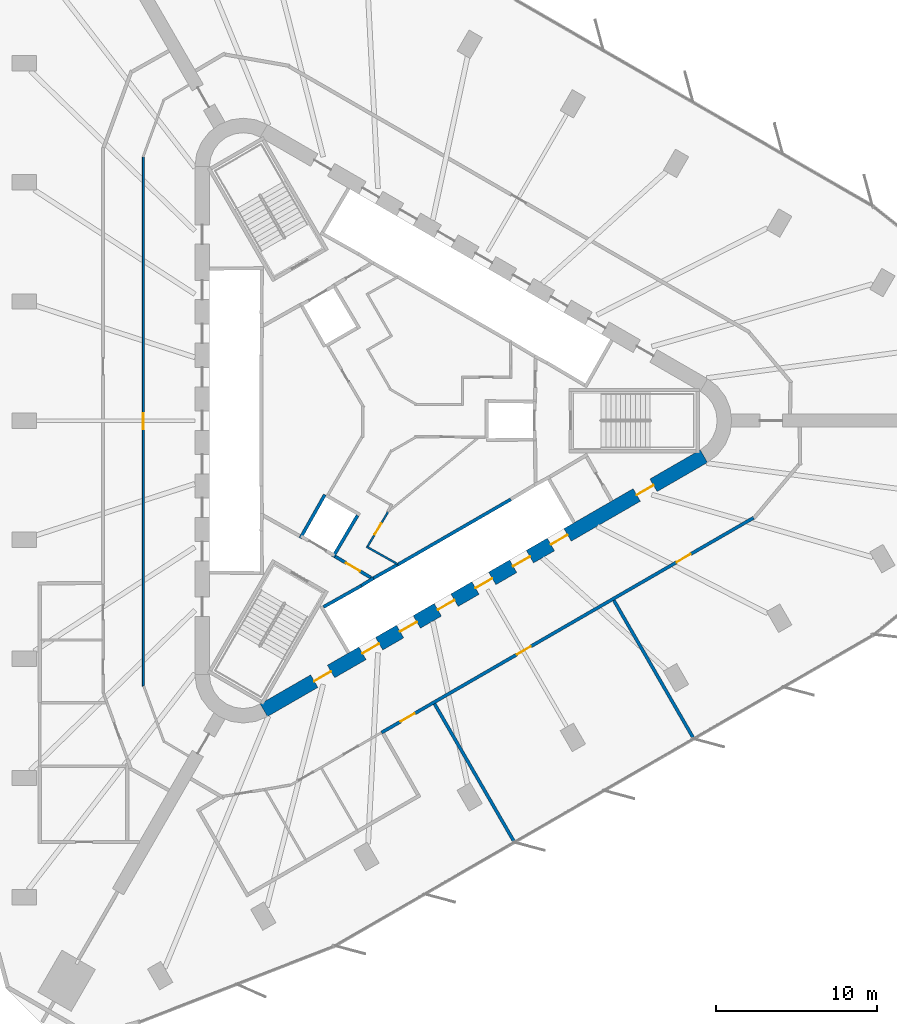
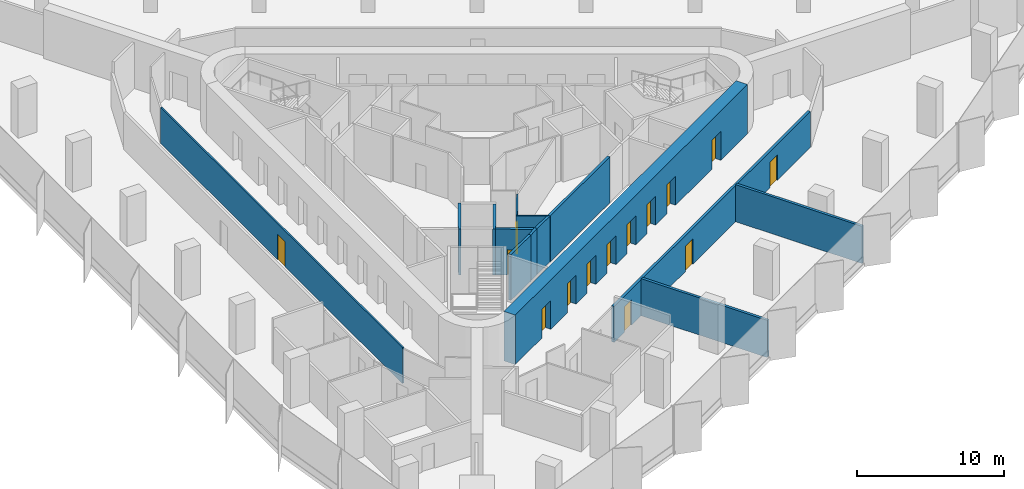
# One storey, part 10 of 15: 14 doors, 14 walls, 14 openings.
"""IFC4 building model written with IfcOpenShell, lengths in metres."""

from ifc_helpers import new_model, si_unit, direction, frame, frame_2d, origin, place, context, subcontext, project, spatial, rectangle, extrude, material, layer, layer_set, type_object, element, fill, save


model = new_model("IFC4")

# Units and contexts
model_context = context("Model", 3, precision=1e-05, world=origin(), true_north=direction((0.0, 1.0)))
body_context = subcontext(model_context, "Body", "Model", "MODEL_VIEW")
ifc_project = project(units=[si_unit("LENGTHUNIT", "METRE"), si_unit("AREAUNIT", "SQUARE_METRE"), si_unit("VOLUMEUNIT", "CUBIC_METRE"), si_unit("PLANEANGLEUNIT", "RADIAN"), si_unit("MASSUNIT", "GRAM", prefix="KILO")], contexts=[model_context])

# Site, building, storey
site_placement = place(None, origin())
site = spatial("IfcSite", under=ifc_project, at=site_placement, CompositionType="ELEMENT")
building_placement = place(site_placement, origin())
building = spatial("IfcBuilding", under=site, at=building_placement, Name="Tanit Gate Tower", CompositionType="ELEMENT")
storey_placement = place(building_placement, frame((0.0, 0.0, 131.60009765625)))
storey = spatial("IfcBuildingStorey", under=building, at=storey_placement, Name="L28", CompositionType="ELEMENT", Elevation=131.60009765625)

# Wall, openings, doors
ifc_material_1 = material(Name="Concrete C60/75", Category="concrete")
ifc_layer_1 = layer(ifc_material_1, 0.89990234375)
ifc_layer_set_1 = layer_set([ifc_layer_1], Name="CORE WALL 900 C60/75")
wall_type_1 = type_object("IfcWallType", Name="CORE WALL 900 C60/75", PredefinedType="SHEAR", material=ifc_layer_set_1)
wall_1_placement = place(storey_placement, frame((-7.824951171875, -17.969970703125, 0.0), z_axis=(0.0, 0.0, 1.0), x_axis=(0.866028369851, 0.499994862586, 0.0)))
wall_1 = element("IfcWall", 1, at=wall_1_placement, inside=storey, type_object=wall_type_1, Name="CORE WALL", PredefinedType="SHEAR", context=body_context, shape_type="SweptSolid", body=[
    extrude(rectangle(XDim=31.523193359375, YDim=0.89990234375, at=frame_2d((15.76171875, 0.0))), origin(), (0.0, 0.0, 1.0), 4.099853515625),
])
opening_1_placement = place(wall_1_placement, frame((7.061767578125, 0.0, 0.0)))
opening_1 = element("IfcOpeningElement", 2, at=opening_1_placement, cuts=wall_1, Name="Opening LDSX1-S07", PredefinedType="OPENING", context=body_context, shape_type="SweptSolid", body=[
    extrude(rectangle(XDim=1.199951171875, YDim=2.39990234375, at=frame_2d((0.60009765625, 1.199951171875))), frame((0.0, 0.4599609375, 0.0), z_axis=(0.0, -1.0, 0.0), x_axis=(1.0, 0.0, 0.0)), (0.0, 0.0, 1.0), 0.919921875),
])
opening_2_placement = place(wall_1_placement, frame((9.76171875, 0.0, 0.0)))
opening_2 = element("IfcOpeningElement", 3, at=opening_2_placement, cuts=wall_1, Name="Opening LDSX2-S07", PredefinedType="OPENING", context=body_context, shape_type="SweptSolid", body=[
    extrude(rectangle(XDim=1.199951171875, YDim=2.39990234375, at=frame_2d((0.60009765625, 1.199951171875))), frame((0.0, 0.4599609375, 0.0), z_axis=(0.0, -1.0, 0.0), x_axis=(1.0, 0.0, 0.0)), (0.0, 0.0, 1.0), 0.919921875),
])
opening_3_placement = place(wall_1_placement, frame((12.461669921875, 0.0, 0.0)))
opening_3 = element("IfcOpeningElement", 4, at=opening_3_placement, cuts=wall_1, Name="Opening LDSX3-S07", PredefinedType="OPENING", context=body_context, shape_type="SweptSolid", body=[
    extrude(rectangle(XDim=1.199951171875, YDim=2.39990234375, at=frame_2d((0.60009765625, 1.199951171875))), frame((0.0, 0.4599609375, 0.0), z_axis=(0.0, -1.0, 0.0), x_axis=(1.0, 0.0, 0.0)), (0.0, 0.0, 1.0), 0.919921875),
])
opening_4_placement = place(wall_1_placement, frame((15.16162109375, 0.0, 0.0)))
opening_4 = element("IfcOpeningElement", 5, at=opening_4_placement, cuts=wall_1, Name="Opening LDSX4-S07", PredefinedType="OPENING", context=body_context, shape_type="SweptSolid", body=[
    extrude(rectangle(XDim=1.199951171875, YDim=2.39990234375, at=frame_2d((0.60009765625, 1.199951171875))), frame((0.0, 0.4599609375, 0.0), z_axis=(0.0, -1.0, 0.0), x_axis=(1.0, 0.0, 0.0)), (0.0, 0.0, 1.0), 0.919921875),
])
opening_5_placement = place(wall_1_placement, frame((17.861572265625, 0.0, 0.0)))
opening_5 = element("IfcOpeningElement", 6, at=opening_5_placement, cuts=wall_1, Name="Opening LDSV1-S07", PredefinedType="OPENING", context=body_context, shape_type="SweptSolid", body=[
    extrude(rectangle(XDim=1.199951171875, YDim=2.39990234375, at=frame_2d((0.60009765625, 1.199951171875))), frame((0.0, 0.4599609375, 0.0), z_axis=(0.0, -1.0, 0.0), x_axis=(1.0, 0.0, 0.0)), (0.0, 0.0, 1.0), 0.919921875),
])
opening_6_placement = place(wall_1_placement, frame((20.561767578125, 0.0, 0.0)))
opening_6 = element("IfcOpeningElement", 7, at=opening_6_placement, cuts=wall_1, Name="Opening LDSV2-S07", PredefinedType="OPENING", context=body_context, shape_type="SweptSolid", body=[
    extrude(rectangle(XDim=1.199951171875, YDim=2.39990234375, at=frame_2d((0.60009765625, 1.199951171875))), frame((0.0, 0.4599609375, 0.0), z_axis=(0.0, -1.0, 0.0), x_axis=(1.0, 0.0, 0.0)), (0.0, 0.0, 1.0), 0.919921875),
])
opening_7_placement = place(wall_1_placement, frame((26.711669921875, 0.0, 0.0)))
opening_7 = element("IfcOpeningElement", 8, at=opening_7_placement, cuts=wall_1, Name="Opening F12-S07-S1", PredefinedType="OPENING", context=body_context, shape_type="SweptSolid", body=[
    extrude(rectangle(XDim=1.199951171875, YDim=2.39990234375, at=frame_2d((0.60009765625, 1.199951171875))), frame((0.0, 0.4599609375, 0.0), z_axis=(0.0, -1.0, 0.0), x_axis=(1.0, 0.0, 0.0)), (0.0, 0.0, 1.0), 0.919921875),
])
opening_8_placement = place(wall_1_placement, frame((3.611572265625, 0.0, 0.0)))
opening_8 = element("IfcOpeningElement", 9, at=opening_8_placement, cuts=wall_1, Name="Opening F12-S07-FL3", PredefinedType="OPENING", context=body_context, shape_type="SweptSolid", body=[
    extrude(rectangle(XDim=1.199951171875, YDim=2.39990234375, at=frame_2d((0.60009765625, 1.199951171875))), frame((0.0, 0.4599609375, 0.0), z_axis=(0.0, -1.0, 0.0), x_axis=(1.0, 0.0, 0.0)), (0.0, 0.0, 1.0), 0.919921875),
])
ifc_material_2 = material(Name="Fire-rated steel door leaf", Category="steel")
door_type_1 = type_object("IfcDoorType", Name="INT-DOOR-FIRE-LOBBY-1200", OperationType="NOTDEFINED", PredefinedType="USERDEFINED", material=ifc_material_2)
door_1_placement = place(opening_7_placement, origin())
door_1 = element("IfcDoor", 10, at=door_1_placement, inside=storey, type_object=door_type_1, Name="Door F12-S07-S1", ObjectType="FIRE DOOR", OperationType="SINGLE_SWING_RIGHT", OverallHeight=2.39990234375, OverallWidth=1.199951171875, PredefinedType="USERDEFINED", context=body_context, shape_type="SweptSolid", body=[
    extrude(rectangle(XDim=1.199951171875, YDim=2.39990234375, at=frame_2d((0.60009765625, 1.199951171875))), frame((0.0, 0.02490234375, 0.0), z_axis=(0.0, -1.0, 0.0), x_axis=(1.0, 0.0, 0.0)), (0.0, 0.0, 1.0), 0.050048828125),
])
fill(opening_7, door_1)
door_2_placement = place(opening_8_placement, origin())
door_2 = element("IfcDoor", 11, at=door_2_placement, inside=storey, type_object=door_type_1, Name="Door F12-S07-FL3", ObjectType="FIRE DOOR", OperationType="SINGLE_SWING_RIGHT", OverallHeight=2.39990234375, OverallWidth=1.199951171875, PredefinedType="USERDEFINED", context=body_context, shape_type="SweptSolid", body=[
    extrude(rectangle(XDim=1.199951171875, YDim=2.39990234375, at=frame_2d((0.60009765625, 1.199951171875))), frame((0.0, 0.02490234375, 0.0), z_axis=(0.0, -1.0, 0.0), x_axis=(1.0, 0.0, 0.0)), (0.0, 0.0, 1.0), 0.050048828125),
])
fill(opening_8, door_2)
ifc_material_3 = material(Name="Stainless steel sliding door leaf", Category="steel")
door_type_2 = type_object("IfcDoorType", Name="INT-DOOR-LANDING-1200", OperationType="NOTDEFINED", PredefinedType="USERDEFINED", material=ifc_material_3)
door_3_placement = place(opening_1_placement, origin())
door_3 = element("IfcDoor", 12, at=door_3_placement, inside=storey, type_object=door_type_2, Name="Door LDSX1-S07", ObjectType="LANDING DOOR", OperationType="SLIDING_TO_LEFT", OverallHeight=2.39990234375, OverallWidth=1.199951171875, PredefinedType="USERDEFINED", context=body_context, shape_type="SweptSolid", body=[
    extrude(rectangle(XDim=1.199951171875, YDim=2.39990234375, at=frame_2d((0.60009765625, 1.199951171875))), frame((0.0, 0.02490234375, 0.0), z_axis=(0.0, -1.0, 0.0), x_axis=(1.0, 0.0, 0.0)), (0.0, 0.0, 1.0), 0.050048828125),
])
fill(opening_1, door_3)
door_4_placement = place(opening_2_placement, origin())
door_4 = element("IfcDoor", 13, at=door_4_placement, inside=storey, type_object=door_type_2, Name="Door LDSX2-S07", ObjectType="LANDING DOOR", OperationType="SLIDING_TO_LEFT", OverallHeight=2.39990234375, OverallWidth=1.199951171875, PredefinedType="USERDEFINED", context=body_context, shape_type="SweptSolid", body=[
    extrude(rectangle(XDim=1.199951171875, YDim=2.39990234375, at=frame_2d((0.60009765625, 1.199951171875))), frame((0.0, 0.02490234375, 0.0), z_axis=(0.0, -1.0, 0.0), x_axis=(1.0, 0.0, 0.0)), (0.0, 0.0, 1.0), 0.050048828125),
])
fill(opening_2, door_4)
door_5_placement = place(opening_3_placement, origin())
door_5 = element("IfcDoor", 14, at=door_5_placement, inside=storey, type_object=door_type_2, Name="Door LDSX3-S07", ObjectType="LANDING DOOR", OperationType="SLIDING_TO_LEFT", OverallHeight=2.39990234375, OverallWidth=1.199951171875, PredefinedType="USERDEFINED", context=body_context, shape_type="SweptSolid", body=[
    extrude(rectangle(XDim=1.199951171875, YDim=2.39990234375, at=frame_2d((0.60009765625, 1.199951171875))), frame((0.0, 0.02490234375, 0.0), z_axis=(0.0, -1.0, 0.0), x_axis=(1.0, 0.0, 0.0)), (0.0, 0.0, 1.0), 0.050048828125),
])
fill(opening_3, door_5)
door_6_placement = place(opening_4_placement, origin())
door_6 = element("IfcDoor", 15, at=door_6_placement, inside=storey, type_object=door_type_2, Name="Door LDSX4-S07", ObjectType="LANDING DOOR", OperationType="SLIDING_TO_LEFT", OverallHeight=2.39990234375, OverallWidth=1.199951171875, PredefinedType="USERDEFINED", context=body_context, shape_type="SweptSolid", body=[
    extrude(rectangle(XDim=1.199951171875, YDim=2.39990234375, at=frame_2d((0.60009765625, 1.199951171875))), frame((0.0, 0.02490234375, 0.0), z_axis=(0.0, -1.0, 0.0), x_axis=(1.0, 0.0, 0.0)), (0.0, 0.0, 1.0), 0.050048828125),
])
fill(opening_4, door_6)
door_7_placement = place(opening_5_placement, origin())
door_7 = element("IfcDoor", 16, at=door_7_placement, inside=storey, type_object=door_type_2, Name="Door LDSV1-S07", ObjectType="LANDING DOOR", OperationType="SLIDING_TO_LEFT", OverallHeight=2.39990234375, OverallWidth=1.199951171875, PredefinedType="USERDEFINED", context=body_context, shape_type="SweptSolid", body=[
    extrude(rectangle(XDim=1.199951171875, YDim=2.39990234375, at=frame_2d((0.60009765625, 1.199951171875))), frame((0.0, 0.02490234375, 0.0), z_axis=(0.0, -1.0, 0.0), x_axis=(1.0, 0.0, 0.0)), (0.0, 0.0, 1.0), 0.050048828125),
])
fill(opening_5, door_7)
door_8_placement = place(opening_6_placement, origin())
door_8 = element("IfcDoor", 17, at=door_8_placement, inside=storey, type_object=door_type_2, Name="Door LDSV2-S07", ObjectType="LANDING DOOR", OperationType="SLIDING_TO_LEFT", OverallHeight=2.39990234375, OverallWidth=1.199951171875, PredefinedType="USERDEFINED", context=body_context, shape_type="SweptSolid", body=[
    extrude(rectangle(XDim=1.199951171875, YDim=2.39990234375, at=frame_2d((0.60009765625, 1.199951171875))), frame((0.0, 0.02490234375, 0.0), z_axis=(0.0, -1.0, 0.0), x_axis=(1.0, 0.0, 0.0)), (0.0, 0.0, 1.0), 0.050048828125),
])
fill(opening_6, door_8)

# Wall, opening, door
ifc_material_4 = material(Name="Fire-rated gypsum board partition")
ifc_layer_2 = layer(ifc_material_4, 0.199951171875)
ifc_layer_set_2 = layer_set([ifc_layer_2], Name="INT-WALL-COMPARTMENT")
wall_type_2 = type_object("IfcWallType", Name="INT-WALL-COMPARTMENT", PredefinedType="PARTITIONING", material=ifc_layer_set_2)
wall_2_placement = place(storey_placement, frame((-3.400634765625, -8.43017578125, 0.0), z_axis=(0.0, 0.0, 1.0), x_axis=(0.860598681535, -0.509283721849, 0.0)))
wall_2 = element("IfcWall", 18, at=wall_2_placement, inside=storey, type_object=wall_type_2, Name="Wall Compartment W064", PredefinedType="PARTITIONING", context=body_context, shape_type="SweptSolid", body=[
    extrude(rectangle(XDim=2.5810546875, YDim=0.199951171875, at=frame_2d((1.29052734375, 0.0))), origin(), (0.0, 0.0, 1.0), 3.7998046875),
])
opening_9_placement = place(wall_2_placement, frame((0.79052734375, 0.0, 0.0)))
opening_9 = element("IfcOpeningElement", 19, at=opening_9_placement, cuts=wall_2, Name="Opening F10-S07-08", PredefinedType="OPENING", context=body_context, shape_type="SweptSolid", body=[
    extrude(rectangle(XDim=1.0, YDim=2.10009765625, at=frame_2d((0.5, 1.050048828125))), frame((0.0, 0.10986328125, 0.0), z_axis=(0.0, -1.0, 0.0), x_axis=(1.0, 0.0, 0.0)), (0.0, 0.0, 1.0), 0.219970703125),
])
ifc_material_5 = material(Name="Fire-rated steel door leaf", Category="steel")
door_type_3 = type_object("IfcDoorType", Name="INT-DOOR-FIRE-1000", OperationType="NOTDEFINED", PredefinedType="USERDEFINED", material=ifc_material_5)
door_9_placement = place(opening_9_placement, origin())
door_9 = element("IfcDoor", 20, at=door_9_placement, inside=storey, type_object=door_type_3, Name="Door F10-S07-08", ObjectType="FIRE DOOR", OperationType="SINGLE_SWING_RIGHT", OverallHeight=2.10009765625, OverallWidth=1.0, PredefinedType="USERDEFINED", context=body_context, shape_type="SweptSolid", body=[
    extrude(rectangle(XDim=1.0, YDim=2.10009765625, at=frame_2d((0.5, 1.050048828125))), frame((0.0, 0.02490234375, 0.0), z_axis=(0.0, -1.0, 0.0), x_axis=(1.0, 0.0, 0.0)), (0.0, 0.0, 1.0), 0.050048828125),
])
fill(opening_9, door_9)

# Wall, openings, doors
wall_3_placement = place(storey_placement, frame((-0.52294921875, -19.3544921875, 0.0), z_axis=(0.0, 0.0, 1.0), x_axis=(0.866024925705, 0.500000828058, 0.0)))
wall_3 = element("IfcWall", 21, at=wall_3_placement, inside=storey, type_object=wall_type_2, Name="Wall Compartment W110", PredefinedType="PARTITIONING", context=body_context, shape_type="SweptSolid", body=[
    extrude(rectangle(XDim=26.64697265625, YDim=0.199951171875, at=frame_2d((13.323486328125, 0.0))), origin(), (0.0, 0.0, 1.0), 2.97998046875),
])
opening_10_placement = place(wall_3_placement, frame((21.144775390625, 0.0, 0.0)))
opening_10 = element("IfcOpeningElement", 22, at=opening_10_placement, cuts=wall_3, Name="Opening F10-S07-25", PredefinedType="OPENING", context=body_context, shape_type="SweptSolid", body=[
    extrude(rectangle(XDim=1.0, YDim=2.10009765625, at=frame_2d((0.5, 1.050048828125))), frame((0.0, 0.10986328125, 0.0), z_axis=(0.0, -1.0, 0.0), x_axis=(1.0, 0.0, 0.0)), (0.0, 0.0, 1.0), 0.219970703125),
])
opening_11_placement = place(wall_3_placement, frame((9.690673828125, 0.0, 0.0)))
opening_11 = element("IfcOpeningElement", 23, at=opening_11_placement, cuts=wall_3, Name="Opening F10-S07-26", PredefinedType="OPENING", context=body_context, shape_type="SweptSolid", body=[
    extrude(rectangle(XDim=1.0, YDim=2.10009765625, at=frame_2d((0.5, 1.050048828125))), frame((0.0, 0.10986328125, 0.0), z_axis=(0.0, -1.0, 0.0), x_axis=(1.0, 0.0, 0.0)), (0.0, 0.0, 1.0), 0.219970703125),
])
opening_12_placement = place(wall_3_placement, frame((1.369384765625, 0.0, 0.0)))
opening_12 = element("IfcOpeningElement", 24, at=opening_12_placement, cuts=wall_3, Name="Opening F10-S07-27", PredefinedType="OPENING", context=body_context, shape_type="SweptSolid", body=[
    extrude(rectangle(XDim=1.0, YDim=2.10009765625, at=frame_2d((0.5, 1.050048828125))), frame((0.0, 0.10986328125, 0.0), z_axis=(0.0, -1.0, 0.0), x_axis=(1.0, 0.0, 0.0)), (0.0, 0.0, 1.0), 0.219970703125),
])
door_10_placement = place(opening_10_placement, origin())
door_10 = element("IfcDoor", 25, at=door_10_placement, inside=storey, type_object=door_type_3, Name="Door F10-S07-25", ObjectType="FIRE DOOR", OperationType="SINGLE_SWING_LEFT", OverallHeight=2.10009765625, OverallWidth=1.0, PredefinedType="USERDEFINED", context=body_context, shape_type="SweptSolid", body=[
    extrude(rectangle(XDim=1.0, YDim=2.10009765625, at=frame_2d((0.5, 1.050048828125))), frame((0.0, 0.02490234375, 0.0), z_axis=(0.0, -1.0, 0.0), x_axis=(1.0, 0.0, 0.0)), (0.0, 0.0, 1.0), 0.050048828125),
])
fill(opening_10, door_10)
door_11_placement = place(opening_11_placement, origin())
door_11 = element("IfcDoor", 26, at=door_11_placement, inside=storey, type_object=door_type_3, Name="Door F10-S07-26", ObjectType="FIRE DOOR", OperationType="SINGLE_SWING_LEFT", OverallHeight=2.10009765625, OverallWidth=1.0, PredefinedType="USERDEFINED", context=body_context, shape_type="SweptSolid", body=[
    extrude(rectangle(XDim=1.0, YDim=2.10009765625, at=frame_2d((0.5, 1.050048828125))), frame((0.0, 0.02490234375, 0.0), z_axis=(0.0, -1.0, 0.0), x_axis=(1.0, 0.0, 0.0)), (0.0, 0.0, 1.0), 0.050048828125),
])
fill(opening_11, door_11)
door_12_placement = place(opening_12_placement, origin())
door_12 = element("IfcDoor", 27, at=door_12_placement, inside=storey, type_object=door_type_3, Name="Door F10-S07-27", ObjectType="FIRE DOOR", OperationType="SINGLE_SWING_LEFT", OverallHeight=2.10009765625, OverallWidth=1.0, PredefinedType="USERDEFINED", context=body_context, shape_type="SweptSolid", body=[
    extrude(rectangle(XDim=1.0, YDim=2.10009765625, at=frame_2d((0.5, 1.050048828125))), frame((0.0, 0.02490234375, 0.0), z_axis=(0.0, -1.0, 0.0), x_axis=(1.0, 0.0, 0.0)), (0.0, 0.0, 1.0), 0.050048828125),
])
fill(opening_12, door_12)

# Walls
wall_4_placement = place(storey_placement, frame((13.888427734375, -11.149658203125, 0.0), z_axis=(0.0, 0.0, 1.0), x_axis=(0.499931641511, -0.86606486698, 0.0)))
element("IfcWall", 28, at=wall_4_placement, inside=storey, type_object=wall_type_2, Name="Wall Compartment W129", PredefinedType="PARTITIONING", context=body_context, shape_type="SweptSolid", body=[
    extrude(rectangle(XDim=9.90087890625, YDim=0.199951171875, at=frame_2d((4.950439453125, 0.0))), origin(), (0.0, 0.0, 1.0), 3.079833984375),
])
wall_5_placement = place(storey_placement, frame((7.714111328125, -26.145751953125, 0.0), z_axis=(0.0, 0.0, 1.0), x_axis=(-0.499926679301, 0.866067731372, 0.0)))
element("IfcWall", 29, at=wall_5_placement, inside=storey, type_object=wall_type_2, Name="Wall Compartment W130", PredefinedType="PARTITIONING", context=body_context, shape_type="SweptSolid", body=[
    extrude(rectangle(XDim=9.89990234375, YDim=0.199951171875, at=frame_2d((4.949951171875, 0.0))), origin(), (0.0, 0.0, 1.0), 3.079833984375),
])
ifc_material_6 = material(Name="Gypsum board partition")
ifc_layer_3 = layer(ifc_material_6, 0.1201171875)
ifc_layer_set_3 = layer_set([ifc_layer_3], Name="INT-WALL-PARTITION")
wall_type_3 = type_object("IfcWallType", Name="INT-WALL-PARTITION", PredefinedType="PARTITIONING", material=ifc_layer_set_3)
wall_6_placement = place(storey_placement, frame((-1.464111328125, -7.81591796875, 0.0), z_axis=(0.0, 0.0, 1.0), x_axis=(0.871880202732, -0.489719217597, 0.0)))
element("IfcWall", 30, at=wall_6_placement, inside=storey, type_object=wall_type_3, Name="Wall Partition W069", PredefinedType="PARTITIONING", context=body_context, shape_type="SweptSolid", body=[
    extrude(rectangle(XDim=2.224365234375, YDim=0.1201171875, at=frame_2d((1.1123046875, 0.0))), origin(), (0.0, 0.0, 1.0), 3.7998046875),
])

# Wall, opening, door
wall_7_placement = place(storey_placement, frame((-0.118896484375, -5.664306640625, 0.0), z_axis=(0.0, 0.0, 1.0), x_axis=(-0.509948384343, -0.860205001907, 0.0)))
wall_7 = element("IfcWall", 31, at=wall_7_placement, inside=storey, type_object=wall_type_3, Name="Wall Partition W070", PredefinedType="PARTITIONING", context=body_context, shape_type="SweptSolid", body=[
    extrude(rectangle(XDim=2.47509765625, YDim=0.1201171875, at=frame_2d((1.237548828125, 0.0))), origin(), (0.0, 0.0, 1.0), 3.7998046875),
])
opening_13_placement = place(wall_7_placement, frame((0.837646484375, 0.0, 0.0)))
opening_13 = element("IfcOpeningElement", 32, at=opening_13_placement, cuts=wall_7, Name="Opening R08-S07-11", PredefinedType="OPENING", context=body_context, shape_type="SweptSolid", body=[
    extrude(rectangle(XDim=0.800048828125, YDim=2.10009765625, at=frame_2d((0.39990234375, 1.050048828125))), frame((0.0, 0.070068359375, 0.0), z_axis=(0.0, -1.0, 0.0), x_axis=(1.0, 0.0, 0.0)), (0.0, 0.0, 1.0), 0.14013671875),
])
ifc_material_7 = material(Name="Timber door leaf", Category="wood")
door_type_4 = type_object("IfcDoorType", Name="INT-DOOR-RISER-800", OperationType="NOTDEFINED", PredefinedType="USERDEFINED", material=ifc_material_7)
door_13_placement = place(opening_13_placement, origin())
door_13 = element("IfcDoor", 33, at=door_13_placement, inside=storey, type_object=door_type_4, Name="Door R08-S07-11", ObjectType="FIRE DOOR", OperationType="SINGLE_SWING_LEFT", OverallHeight=2.10009765625, OverallWidth=0.800048828125, PredefinedType="USERDEFINED", context=body_context, shape_type="SweptSolid", body=[
    extrude(rectangle(XDim=0.800048828125, YDim=2.10009765625, at=frame_2d((0.39990234375, 1.050048828125))), frame((0.0, 0.02490234375, 0.0), z_axis=(0.0, -1.0, 0.0), x_axis=(1.0, 0.0, 0.0)), (0.0, 0.0, 1.0), 0.050048828125),
])
fill(opening_13, door_13)

wall_8_placement = place(storey_placement, frame((-15.300048828125, 16.34521484375, 0.0), z_axis=(0.0, 0.0, 1.0), x_axis=(0.0, -1.0, 0.0)))
wall_8 = element("IfcWall", 34, at=wall_8_placement, inside=storey, type_object=wall_type_3, Name="Wall Partition W088", PredefinedType="PARTITIONING", context=body_context, shape_type="SweptSolid", body=[
    extrude(rectangle(XDim=32.810546875, YDim=0.1201171875, at=frame_2d((16.4052734375, 0.0))), origin(), (0.0, 0.0, 1.0), 2.97998046875),
])
opening_14_placement = place(wall_8_placement, frame((15.875244140625, 0.0, 0.0)))
opening_14 = element("IfcOpeningElement", 35, at=opening_14_placement, cuts=wall_8, Name="Opening D10-S07-15", PredefinedType="OPENING", context=body_context, shape_type="SweptSolid", body=[
    extrude(rectangle(XDim=1.0, YDim=2.10009765625, at=frame_2d((0.5, 1.050048828125))), frame((0.0, 0.070068359375, 0.0), z_axis=(0.0, -1.0, 0.0), x_axis=(1.0, 0.0, 0.0)), (0.0, 0.0, 1.0), 0.14013671875),
])
ifc_material_8 = material(Name="Timber door leaf", Category="wood")
door_type_5 = type_object("IfcDoorType", Name="INT-DOOR-SINGLE-1000", OperationType="NOTDEFINED", PredefinedType="NOTDEFINED", material=ifc_material_8)
door_14_placement = place(opening_14_placement, origin())
door_14 = element("IfcDoor", 36, at=door_14_placement, inside=storey, type_object=door_type_5, Name="Door D10-S07-15", OperationType="SINGLE_SWING_LEFT", OverallHeight=2.10009765625, OverallWidth=1.0, PredefinedType="NOTDEFINED", context=body_context, shape_type="SweptSolid", body=[
    extrude(rectangle(XDim=1.0, YDim=2.10009765625, at=frame_2d((0.5, 1.050048828125))), frame((0.0, 0.02490234375, 0.0), z_axis=(0.0, -1.0, 0.0), x_axis=(1.0, 0.0, 0.0)), (0.0, 0.0, 1.0), 0.050048828125),
])
fill(opening_14, door_14)

# Walls
ifc_material_9 = material(Name="Gypsum shaft wall system")
ifc_layer_4 = layer(ifc_material_9, 0.199951171875)
ifc_layer_set_4 = layer_set([ifc_layer_4], Name="INT-WALL-SHAFT")
wall_type_4 = type_object("IfcWallType", Name="INT-WALL-SHAFT", PredefinedType="PLUMBINGWALL", material=ifc_layer_set_4)
wall_9_placement = place(storey_placement, frame((0.482666015625, -8.935791015625, 0.0), z_axis=(0.0, 0.0, 1.0), x_axis=(0.866030989016, 0.499990325971, 0.0)))
element("IfcWall", 37, at=wall_9_placement, inside=storey, type_object=wall_type_4, Name="Wall Shaft W031", PredefinedType="PLUMBINGWALL", context=body_context, shape_type="SweptSolid", body=[
    extrude(rectangle(XDim=8.099853515625, YDim=0.199951171875, at=frame_2d((4.0498046875, 0.0))), origin(), (0.0, 0.0, 1.0), 3.7998046875),
])
wall_10_placement = place(storey_placement, frame((-1.7685546875, -10.23681640625, 0.0), z_axis=(0.0, 0.0, 1.0), x_axis=(-0.871534483978, -0.490334215854, 0.0)))
element("IfcWall", 38, at=wall_10_placement, inside=storey, type_object=wall_type_4, Name="Wall Shaft W028", PredefinedType="PLUMBINGWALL", context=body_context, shape_type="SweptSolid", body=[
    extrude(rectangle(XDim=2.7001953125, YDim=0.199951171875, at=frame_2d((1.35009765625, 0.0))), origin(), (0.0, 0.0, 1.0), 3.7998046875),
])
wall_11_placement = place(storey_placement, frame((-1.02392578125, -9.77099609375, 0.0), z_axis=(0.0, 0.0, 1.0), x_axis=(-0.850348075135, -0.526220629693, 0.0)))
element("IfcWall", 39, at=wall_11_placement, inside=storey, type_object=wall_type_4, Name="Wall Shaft W029", PredefinedType="PLUMBINGWALL", context=body_context, shape_type="SweptSolid", body=[
    extrude(rectangle(XDim=0.878173828125, YDim=0.199951171875, at=frame_2d((0.43896484375, 0.0))), origin(), (0.0, 0.0, 1.0), 3.7998046875),
])
wall_12_placement = place(storey_placement, frame((-1.13037109375, -9.83154296875, 0.0), z_axis=(0.0, 0.0, 1.0), x_axis=(0.871988740738, 0.489525929882, 0.0)))
element("IfcWall", 40, at=wall_12_placement, inside=storey, type_object=wall_type_4, Name="Wall Shaft W030", PredefinedType="PLUMBINGWALL", context=body_context, shape_type="SweptSolid", body=[
    extrude(rectangle(XDim=1.8447265625, YDim=0.199951171875, at=frame_2d((0.92236328125, 0.0))), origin(), (0.0, 0.0, 1.0), 3.7998046875),
])
wall_13_placement = place(storey_placement, frame((-5.5625, -7.29638671875, 0.0), z_axis=(0.0, 0.0, 1.0), x_axis=(0.491322718731, 0.870977603649, 0.0)))
element("IfcWall", 41, at=wall_13_placement, inside=storey, type_object=wall_type_4, Name="Wall Shaft W054", PredefinedType="PLUMBINGWALL", context=body_context, shape_type="SweptSolid", body=[
    extrude(rectangle(XDim=3.10009765625, YDim=0.199951171875, at=frame_2d((1.550048828125, 0.0))), origin(), (0.0, 0.0, 1.0), 3.7998046875),
])
wall_14_placement = place(storey_placement, frame((-2.01171875, -5.88232421875, 0.0), z_axis=(0.0, 0.0, 1.0), x_axis=(-0.508619639323, -0.860991325447, 0.0)))
element("IfcWall", 42, at=wall_14_placement, inside=storey, type_object=wall_type_4, Name="Wall Shaft W056", PredefinedType="PLUMBINGWALL", context=body_context, shape_type="SweptSolid", body=[
    extrude(rectangle(XDim=3.0, YDim=0.199951171875, at=frame_2d((1.5, 0.0))), origin(), (0.0, 0.0, 1.0), 3.7998046875),
])

save(model, "model.ifc")
